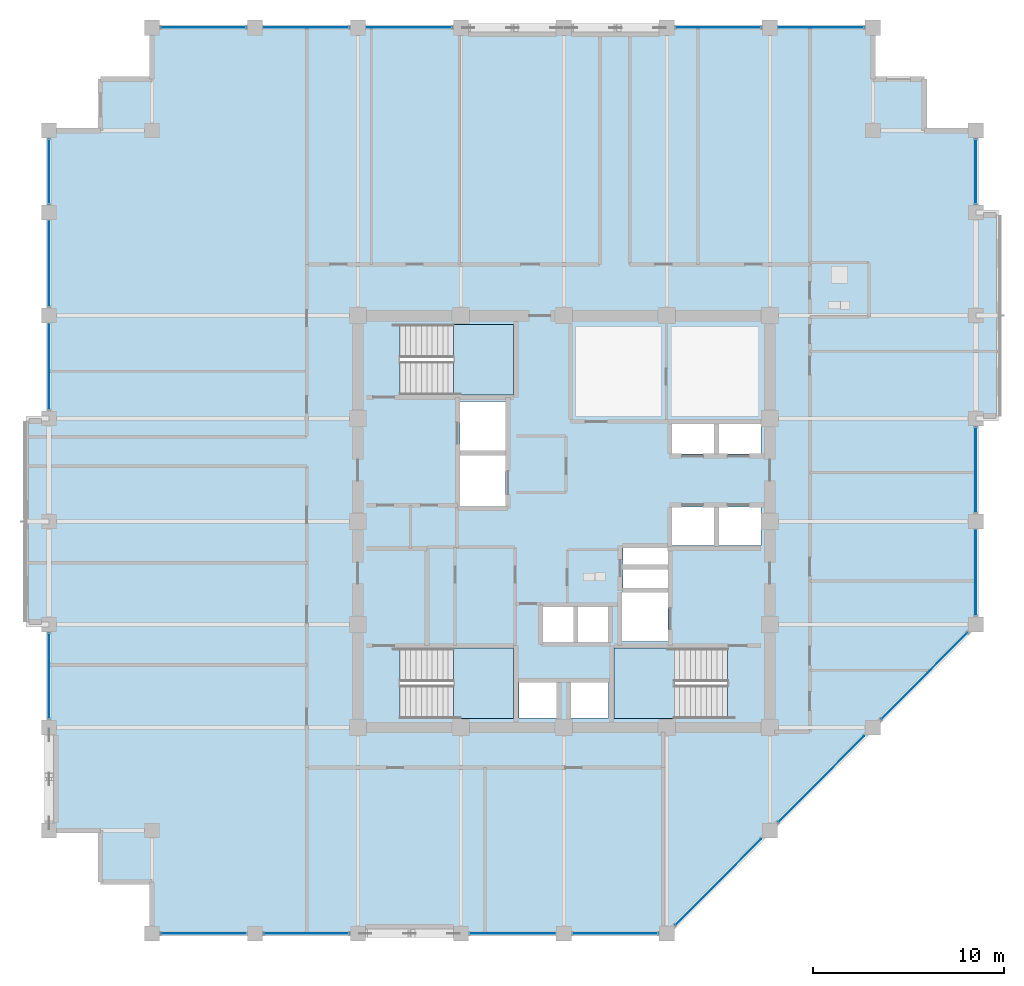
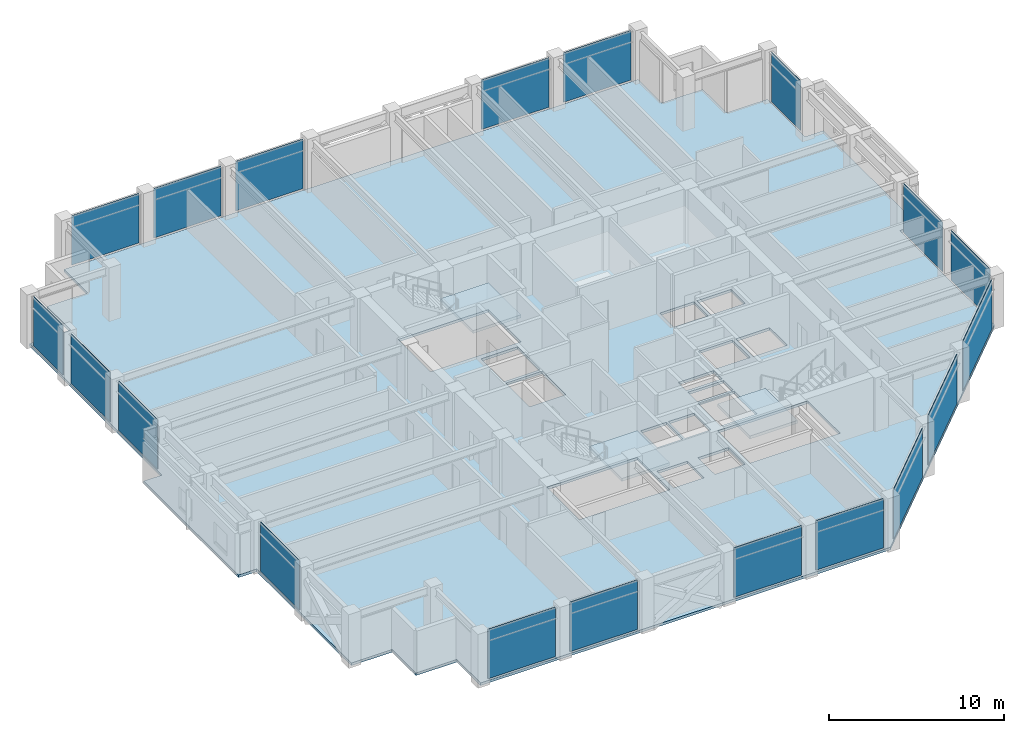
# One storey, part 23 of 30: 19 plates, 4 slabs, 12 elements without a shape of their own.
"""IFC4 building model written with IfcOpenShell, lengths in metres."""

from ifc_helpers import new_model, si_unit, direction, frame, frame_2d, origin, place, context, subcontext, project, spatial, polyline, rectangle, outline, extrude, material, layer, layer_set, type_object, element, aggregate, save


model = new_model("IFC4")

# Units and contexts
model_context = context("Model", 3, precision=1e-05, world=origin(), true_north=direction((0.0, 1.0)))
body_context = subcontext(model_context, "Body", "Model", "MODEL_VIEW")
ifc_project = project(units=[si_unit("LENGTHUNIT", "METRE"), si_unit("AREAUNIT", "SQUARE_METRE"), si_unit("VOLUMEUNIT", "CUBIC_METRE"), si_unit("PLANEANGLEUNIT", "RADIAN"), si_unit("MASSUNIT", "GRAM", prefix="KILO")], contexts=[model_context])

# Site, building, storey
site_placement = place(None, origin())
site = spatial("IfcSite", under=ifc_project, at=site_placement, CompositionType="ELEMENT")
building_placement = place(site_placement, origin())
building = spatial("IfcBuilding", under=site, at=building_placement, Name="Surkhivell Harbour Commons", CompositionType="ELEMENT")
storey_placement = place(building_placement, frame((0.0, 0.0, 231.0)))
storey = spatial("IfcBuildingStorey", under=building, at=storey_placement, Name="L60", CompositionType="ELEMENT", Elevation=231.0)

# Curtain wall, plates
ifc_material_1 = material(Name="Anodised pale-metal aluminium and insulated glazing", Category="aluminium")
ifc_layer_1 = layer(ifc_material_1, 0.18994140625)
ifc_layer_set_1 = layer_set([ifc_layer_1], Name="Anodised pale-metal aluminium and insulated glazing")
curtain_wall_type = type_object("IfcCurtainWallType", Name="CW-SYS-Z3", PredefinedType="NOTDEFINED", material=ifc_layer_set_1)
curtain_wall_1_placement = place(storey_placement, origin())
curtain_wall_1 = element("IfcCurtainWall", 1, at=curtain_wall_1_placement, inside=storey, type_object=curtain_wall_type, Name="L60 Curtain Wall CW-L60-E00S1", PredefinedType="NOTDEFINED")
ifc_material_2 = material(Name="High-pressure typhoon laminated vision glass", Category="glass")
ifc_layer_2 = layer(ifc_material_2, 0.035888671875)
ifc_layer_set_2 = layer_set([ifc_layer_2], Name="High-pressure typhoon laminated vision glass")
plate_type = type_object("IfcPlateType", Name="CWP-GLZ-36", PredefinedType="CURTAIN_PANEL", material=ifc_layer_set_2)
plate_1_placement = place(storey_placement, frame((-21.123046875, -21.60009765625, 0.1298828125), z_axis=(0.0, 0.0, 1.0), x_axis=(1.0, 0.0, 0.0)))
plate_1 = element("IfcPlate", 2, at=plate_1_placement, type_object=plate_type, Name="CW-Z3 panel 1.1", PredefinedType="CURTAIN_PANEL", context=body_context, shape_type="SweptSolid", body=[
    extrude(rectangle(XDim=4.446044921875, YDim=0.035888671875, at=frame_2d((2.22314453125, 0.0))), origin(), (0.0, 0.0, 1.0), 3.440185546875),
])
plate_2_placement = place(storey_placement, frame((-15.722900390625, -21.60009765625, 0.1298828125), z_axis=(0.0, 0.0, 1.0), x_axis=(1.0, 0.0, 0.0)))
plate_2 = element("IfcPlate", 3, at=plate_2_placement, type_object=plate_type, Name="CW-Z3 panel 2.1", PredefinedType="CURTAIN_PANEL", context=body_context, shape_type="SweptSolid", body=[
    extrude(rectangle(XDim=4.44580078125, YDim=0.035888671875, at=frame_2d((2.222900390625, 0.0))), origin(), (0.0, 0.0, 1.0), 3.440185546875),
])
aggregate(curtain_wall_1, [plate_1, plate_2])

curtain_wall_2_placement = place(storey_placement, origin())
curtain_wall_2 = element("IfcCurtainWall", 4, at=curtain_wall_2_placement, inside=storey, type_object=curtain_wall_type, Name="L60 Curtain Wall CW-L60-E00S2", PredefinedType="NOTDEFINED")
plate_3_placement = place(storey_placement, frame((-4.923095703125, -21.60009765625, 0.1298828125), z_axis=(0.0, 0.0, 1.0), x_axis=(1.0, 0.0, 0.0)))
plate_3 = element("IfcPlate", 5, at=plate_3_placement, type_object=plate_type, Name="CW-Z3 panel 1.1", PredefinedType="CURTAIN_PANEL", context=body_context, shape_type="SweptSolid", body=[
    extrude(rectangle(XDim=4.446044921875, YDim=0.035888671875, at=frame_2d((2.22314453125, 0.0))), origin(), (0.0, 0.0, 1.0), 3.440185546875),
])
plate_4_placement = place(storey_placement, frame((0.47705078125, -21.60009765625, 0.1298828125), z_axis=(0.0, 0.0, 1.0), x_axis=(1.0, 0.0, 0.0)))
plate_4 = element("IfcPlate", 6, at=plate_4_placement, type_object=plate_type, Name="CW-Z3 panel 2.1", PredefinedType="CURTAIN_PANEL", context=body_context, shape_type="SweptSolid", body=[
    extrude(rectangle(XDim=4.446044921875, YDim=0.035888671875, at=frame_2d((2.22314453125, 0.0))), origin(), (0.0, 0.0, 1.0), 3.440185546875),
])
aggregate(curtain_wall_2, [plate_3, plate_4])

curtain_wall_3_placement = place(storey_placement, origin())
curtain_wall_3 = element("IfcCurtainWall", 7, at=curtain_wall_3_placement, inside=storey, type_object=curtain_wall_type, Name="L60 Curtain Wall CW-L60-E01", PredefinedType="NOTDEFINED")
plate_5_placement = place(storey_placement, frame((5.854736328125, -21.145263671875, 0.1298828125), z_axis=(0.0, 0.0, 1.0), x_axis=(0.707106781187, 0.707106781187, 0.0)))
plate_5 = element("IfcPlate", 8, at=plate_5_placement, type_object=plate_type, Name="CW-Z3 panel 1.1", PredefinedType="CURTAIN_PANEL", context=body_context, shape_type="SweptSolid", body=[
    extrude(rectangle(XDim=6.3505859375, YDim=0.035888671875, at=frame_2d((3.17529296875, 0.0))), origin(), (0.0, 0.0, 1.0), 3.440185546875),
])
plate_6_placement = place(storey_placement, frame((11.254638671875, -15.745361328125, 0.1298828125), z_axis=(0.0, 0.0, 1.0), x_axis=(0.707106781187, 0.707106781187, 0.0)))
plate_6 = element("IfcPlate", 9, at=plate_6_placement, type_object=plate_type, Name="CW-Z3 panel 2.1", PredefinedType="CURTAIN_PANEL", context=body_context, shape_type="SweptSolid", body=[
    extrude(rectangle(XDim=6.350830078125, YDim=0.035888671875, at=frame_2d((3.17529296875, 0.0))), origin(), (0.0, 0.0, 1.0), 3.440185546875),
])
plate_7_placement = place(storey_placement, frame((16.65478515625, -10.34521484375, 0.1298828125), z_axis=(0.0, 0.0, 1.0), x_axis=(0.707106781187, 0.707106781187, 0.0)))
plate_7 = element("IfcPlate", 10, at=plate_7_placement, type_object=plate_type, Name="CW-Z3 panel 3.1", PredefinedType="CURTAIN_PANEL", context=body_context, shape_type="SweptSolid", body=[
    extrude(rectangle(XDim=6.3505859375, YDim=0.035888671875, at=frame_2d((3.17529296875, 0.0))), origin(), (0.0, 0.0, 1.0), 3.440185546875),
])
aggregate(curtain_wall_3, [plate_5, plate_6, plate_7])

curtain_wall_4_placement = place(storey_placement, origin())
curtain_wall_4 = element("IfcCurtainWall", 11, at=curtain_wall_4_placement, inside=storey, type_object=curtain_wall_type, Name="L60 Curtain Wall CW-L60-E02R1", PredefinedType="NOTDEFINED")
plate_8_placement = place(storey_placement, frame((21.60009765625, -4.923095703125, 0.1298828125), z_axis=(0.0, 0.0, 1.0), x_axis=(0.0, 1.0, 0.0)))
plate_8 = element("IfcPlate", 12, at=plate_8_placement, type_object=plate_type, Name="CW-Z3 panel 1.1", PredefinedType="CURTAIN_PANEL", context=body_context, shape_type="SweptSolid", body=[
    extrude(rectangle(XDim=4.446044921875, YDim=0.035888671875, at=frame_2d((2.22314453125, 0.0))), origin(), (0.0, 0.0, 1.0), 3.440185546875),
])
plate_9_placement = place(storey_placement, frame((21.60009765625, 0.47705078125, 0.1298828125), z_axis=(0.0, 0.0, 1.0), x_axis=(0.0, 1.0, 0.0)))
plate_9 = element("IfcPlate", 13, at=plate_9_placement, type_object=plate_type, Name="CW-Z3 panel 2.1", PredefinedType="CURTAIN_PANEL", context=body_context, shape_type="SweptSolid", body=[
    extrude(rectangle(XDim=4.446044921875, YDim=0.035888671875, at=frame_2d((2.22314453125, 0.0))), origin(), (0.0, 0.0, 1.0), 3.440185546875),
])
aggregate(curtain_wall_4, [plate_8, plate_9])

# Curtain wall, plate
curtain_wall_5_placement = place(storey_placement, origin())
curtain_wall_5 = element("IfcCurtainWall", 14, at=curtain_wall_5_placement, inside=storey, type_object=curtain_wall_type, Name="L60 Curtain Wall CW-L60-E02R2", PredefinedType="NOTDEFINED")
plate_10_placement = place(storey_placement, frame((21.60009765625, 16.677001953125, 0.1298828125), z_axis=(0.0, 0.0, 1.0), x_axis=(0.0, 1.0, 0.0)))
plate_10 = element("IfcPlate", 15, at=plate_10_placement, type_object=plate_type, Name="CW-Z3 panel 1.1", PredefinedType="CURTAIN_PANEL", context=body_context, shape_type="SweptSolid", body=[
    extrude(rectangle(XDim=3.345947265625, YDim=0.035888671875, at=frame_2d((1.6728515625, 0.0))), origin(), (0.0, 0.0, 1.0), 3.440185546875),
])
aggregate(curtain_wall_5, [plate_10])

# Curtain wall, plates
curtain_wall_6_placement = place(storey_placement, origin())
curtain_wall_6 = element("IfcCurtainWall", 16, at=curtain_wall_6_placement, inside=storey, type_object=curtain_wall_type, Name="L60 Curtain Wall CW-L60-E07S1", PredefinedType="NOTDEFINED")
plate_11_placement = place(storey_placement, frame((15.722900390625, 25.89990234375, 0.1298828125), z_axis=(0.0, 0.0, 1.0), x_axis=(-1.0, 0.0, 0.0)))
plate_11 = element("IfcPlate", 17, at=plate_11_placement, type_object=plate_type, Name="CW-Z3 panel 1.1", PredefinedType="CURTAIN_PANEL", context=body_context, shape_type="SweptSolid", body=[
    extrude(rectangle(XDim=4.44580078125, YDim=0.035888671875, at=frame_2d((2.222900390625, 0.0))), origin(), (0.0, 0.0, 1.0), 3.440185546875),
])
plate_12_placement = place(storey_placement, frame((10.322998046875, 25.89990234375, 0.1298828125), z_axis=(0.0, 0.0, 1.0), x_axis=(-1.0, 0.0, 0.0)))
plate_12 = element("IfcPlate", 18, at=plate_12_placement, type_object=plate_type, Name="CW-Z3 panel 2.1", PredefinedType="CURTAIN_PANEL", context=body_context, shape_type="SweptSolid", body=[
    extrude(rectangle(XDim=4.446044921875, YDim=0.035888671875, at=frame_2d((2.22314453125, 0.0))), origin(), (0.0, 0.0, 1.0), 3.440185546875),
])
aggregate(curtain_wall_6, [plate_11, plate_12])

curtain_wall_7_placement = place(storey_placement, origin())
curtain_wall_7 = element("IfcCurtainWall", 19, at=curtain_wall_7_placement, inside=storey, type_object=curtain_wall_type, Name="L60 Curtain Wall CW-L60-E07S2", PredefinedType="NOTDEFINED")
plate_13_placement = place(storey_placement, frame((-5.876953125, 25.89990234375, 0.1298828125), z_axis=(0.0, 0.0, 1.0), x_axis=(-1.0, 0.0, 0.0)))
plate_13 = element("IfcPlate", 20, at=plate_13_placement, type_object=plate_type, Name="CW-Z3 panel 1.1", PredefinedType="CURTAIN_PANEL", context=body_context, shape_type="SweptSolid", body=[
    extrude(rectangle(XDim=4.446044921875, YDim=0.035888671875, at=frame_2d((2.22314453125, 0.0))), origin(), (0.0, 0.0, 1.0), 3.440185546875),
])
plate_14_placement = place(storey_placement, frame((-11.277099609375, 25.89990234375, 0.1298828125), z_axis=(0.0, 0.0, 1.0), x_axis=(-1.0, 0.0, 0.0)))
plate_14 = element("IfcPlate", 21, at=plate_14_placement, type_object=plate_type, Name="CW-Z3 panel 2.1", PredefinedType="CURTAIN_PANEL", context=body_context, shape_type="SweptSolid", body=[
    extrude(rectangle(XDim=4.44580078125, YDim=0.035888671875, at=frame_2d((2.222900390625, 0.0))), origin(), (0.0, 0.0, 1.0), 3.440185546875),
])
plate_15_placement = place(storey_placement, frame((-16.677001953125, 25.89990234375, 0.1298828125), z_axis=(0.0, 0.0, 1.0), x_axis=(-1.0, 0.0, 0.0)))
plate_15 = element("IfcPlate", 22, at=plate_15_placement, type_object=plate_type, Name="CW-Z3 panel 3.1", PredefinedType="CURTAIN_PANEL", context=body_context, shape_type="SweptSolid", body=[
    extrude(rectangle(XDim=4.446044921875, YDim=0.035888671875, at=frame_2d((2.22314453125, 0.0))), origin(), (0.0, 0.0, 1.0), 3.440185546875),
])
aggregate(curtain_wall_7, [plate_13, plate_14, plate_15])

# Curtain wall, plate
curtain_wall_8_placement = place(storey_placement, origin())
curtain_wall_8 = element("IfcCurtainWall", 23, at=curtain_wall_8_placement, inside=storey, type_object=curtain_wall_type, Name="L60 Curtain Wall CW-L60-E12R1S1", PredefinedType="NOTDEFINED")
plate_16_placement = place(storey_placement, frame((-27.0, -10.322998046875, 0.1298828125), z_axis=(0.0, 0.0, 1.0), x_axis=(0.0, 1.0, 0.0)))
plate_16 = element("IfcPlate", 24, at=plate_16_placement, type_object=plate_type, Name="CW-Z3 panel 1.1", PredefinedType="CURTAIN_PANEL", context=body_context, shape_type="SweptSolid", body=[
    extrude(rectangle(XDim=4.446044921875, YDim=0.035888671875, at=frame_2d((2.22314453125, 0.0))), origin(), (0.0, 0.0, 1.0), 3.440185546875),
])
aggregate(curtain_wall_8, [plate_16])

# Curtain wall, plates
curtain_wall_9_placement = place(storey_placement, origin())
curtain_wall_9 = element("IfcCurtainWall", 25, at=curtain_wall_9_placement, inside=storey, type_object=curtain_wall_type, Name="L60 Curtain Wall CW-L60-E12R2", PredefinedType="NOTDEFINED")
plate_17_placement = place(storey_placement, frame((-27.0, 5.876953125, 0.1298828125), z_axis=(0.0, 0.0, 1.0), x_axis=(0.0, 1.0, 0.0)))
plate_17 = element("IfcPlate", 26, at=plate_17_placement, type_object=plate_type, Name="CW-Z3 panel 1.1", PredefinedType="CURTAIN_PANEL", context=body_context, shape_type="SweptSolid", body=[
    extrude(rectangle(XDim=4.446044921875, YDim=0.035888671875, at=frame_2d((2.22314453125, 0.0))), origin(), (0.0, 0.0, 1.0), 3.440185546875),
])
plate_18_placement = place(storey_placement, frame((-27.0, 11.277099609375, 0.1298828125), z_axis=(0.0, 0.0, 1.0), x_axis=(0.0, 1.0, 0.0)))
plate_18 = element("IfcPlate", 27, at=plate_18_placement, type_object=plate_type, Name="CW-Z3 panel 2.1", PredefinedType="CURTAIN_PANEL", context=body_context, shape_type="SweptSolid", body=[
    extrude(rectangle(XDim=4.44580078125, YDim=0.035888671875, at=frame_2d((2.222900390625, 0.0))), origin(), (0.0, 0.0, 1.0), 3.440185546875),
])
plate_19_placement = place(storey_placement, frame((-27.0, 16.677001953125, 0.1298828125), z_axis=(0.0, 0.0, 1.0), x_axis=(0.0, 1.0, 0.0)))
plate_19 = element("IfcPlate", 28, at=plate_19_placement, type_object=plate_type, Name="CW-Z3 panel 3.1", PredefinedType="CURTAIN_PANEL", context=body_context, shape_type="SweptSolid", body=[
    extrude(rectangle(XDim=3.345947265625, YDim=0.035888671875, at=frame_2d((1.6728515625, 0.0))), origin(), (0.0, 0.0, 1.0), 3.440185546875),
])
aggregate(curtain_wall_9, [plate_17, plate_18, plate_19])

# Stair, slab
ifc_material_3 = material(Name="Precast concrete C45/55", Category="concrete")
stair_type = type_object("IfcStairType", Name="STR-DL-375", PredefinedType="HALF_TURN_STAIR", material=ifc_material_3)
stair_1_placement = place(storey_placement, origin())
stair_1 = element("IfcStair", 29, at=stair_1_placement, inside=storey, type_object=stair_type, Name="L60 Core Exit Stair ST1", PredefinedType="HALF_TURN_STAIR")
ifc_material_4 = material(Name="Reinforced concrete C45/55", Category="concrete")
ifc_layer_3 = layer(ifc_material_4, 0.199951171875)
ifc_layer_set_3 = layer_set([ifc_layer_3], Name="Reinforced concrete C45/55")
slab_type_1 = type_object("IfcSlabType", Name="SLB-ST-LND200", PredefinedType="LANDING", material=ifc_layer_set_3)
slab_1_placement = place(storey_placement, frame((0.0, 0.0, 1.675048828125)))
slab_1 = element("IfcSlab", 30, at=slab_1_placement, type_object=slab_type_1, Name="ST1 landing 1", PredefinedType="LANDING", context=body_context, shape_type="SweptSolid", body=[
    extrude(outline(polyline([(-5.7900390625, 6.639892578125), (-2.639892578125, 6.639892578125), (-2.639892578125, 10.340087890625), (-5.7900390625, 10.340087890625), (-5.7900390625, 6.639892578125)])), origin(), (0.0, 0.0, 1.0), 0.199951171875),
])
aggregate(stair_1, [slab_1])

stair_2_placement = place(storey_placement, origin())
stair_2 = element("IfcStair", 31, at=stair_2_placement, inside=storey, type_object=stair_type, Name="L60 Core Exit Stair ST2", PredefinedType="HALF_TURN_STAIR")
slab_2_placement = place(storey_placement, frame((0.0, 0.0, 1.675048828125)))
slab_2 = element("IfcSlab", 32, at=slab_2_placement, type_object=slab_type_1, Name="ST2 landing 1", PredefinedType="LANDING", context=body_context, shape_type="SweptSolid", body=[
    extrude(outline(polyline([(5.7900390625, -6.639892578125), (2.639892578125, -6.639892578125), (2.639892578125, -10.340087890625), (5.7900390625, -10.340087890625), (5.7900390625, -6.639892578125)])), origin(), (0.0, 0.0, 1.0), 0.199951171875),
])
aggregate(stair_2, [slab_2])

stair_3_placement = place(storey_placement, origin())
stair_3 = element("IfcStair", 33, at=stair_3_placement, inside=storey, type_object=stair_type, Name="L60 Core Exit Stair ST3", PredefinedType="HALF_TURN_STAIR")
slab_3_placement = place(storey_placement, frame((0.0, 0.0, 1.675048828125)))
slab_3 = element("IfcSlab", 34, at=slab_3_placement, type_object=slab_type_1, Name="ST3 landing 1", PredefinedType="LANDING", context=body_context, shape_type="SweptSolid", body=[
    extrude(outline(polyline([(-5.7900390625, -10.340087890625), (-2.639892578125, -10.340087890625), (-2.639892578125, -6.639892578125), (-5.7900390625, -6.639892578125), (-5.7900390625, -10.340087890625)])), origin(), (0.0, 0.0, 1.0), 0.199951171875),
])
aggregate(stair_3, [slab_3])

# Slab
ifc_material_5 = material(Name="Concrete C45/55", Category="concrete")
ifc_layer_4 = layer(ifc_material_5, 0.179931640625)
ifc_layer_set_4 = layer_set([ifc_layer_4], Name="Concrete C45/55")
slab_type_2 = type_object("IfcSlabType", Name="SLB-TYP-180", PredefinedType="FLOOR", material=ifc_layer_set_4)
slab_4_placement = place(storey_placement, frame((0.0, 0.0, -0.179931640625)))
element("IfcSlab", 35, at=slab_4_placement, inside=storey, type_object=slab_type_2, Name="L60 Structural Floor Slab", PredefinedType="FLOOR", context=body_context, shape_type="SweptSolid", body=[
    extrude(outline(polyline([(-27.0, 20.5), (-27.0, 5.39990234375), (-28.199951171875, 5.39990234375), (-28.199951171875, -5.39990234375), (-27.0, -5.39990234375), (-27.0, -16.199951171875), (-24.300048828125, -16.199951171875), (-24.300048828125, -18.89990234375), (-21.60009765625, -18.89990234375), (-21.60009765625, -21.60009765625), (5.39990234375, -21.60009765625), (21.60009765625, -5.39990234375), (21.60009765625, 5.39990234375), (22.800048828125, 5.39990234375), (22.800048828125, 16.199951171875), (21.60009765625, 16.199951171875), (21.60009765625, 20.5), (18.89990234375, 20.5), (18.89990234375, 23.199951171875), (16.199951171875, 23.199951171875), (16.199951171875, 25.89990234375), (-21.60009765625, 25.89990234375), (-21.60009765625, 23.199951171875), (-24.300048828125, 23.199951171875), (-24.300048828125, 20.5), (-27.0, 20.5)]), holes=[polyline([(-8.590087890625, 6.639892578125), (-2.639892578125, 6.639892578125), (-2.639892578125, 10.340087890625), (-8.590087890625, 10.340087890625), (-8.590087890625, 6.639892578125)]), polyline([(8.590087890625, -6.639892578125), (2.639892578125, -6.639892578125), (2.639892578125, -10.340087890625), (8.590087890625, -10.340087890625), (8.590087890625, -6.639892578125)]), polyline([(-8.590087890625, -10.340087890625), (-2.639892578125, -10.340087890625), (-2.639892578125, -6.639892578125), (-8.590087890625, -6.639892578125), (-8.590087890625, -10.340087890625)]), polyline([(5.64990234375, 3.550048828125), (7.89990234375, 3.550048828125), (7.89990234375, 5.14990234375), (5.64990234375, 5.14990234375), (5.64990234375, 3.550048828125)]), polyline([(8.10009765625, 3.550048828125), (10.35009765625, 3.550048828125), (10.35009765625, 5.14990234375), (8.10009765625, 5.14990234375), (8.10009765625, 3.550048828125)]), polyline([(5.64990234375, -1.25), (7.89990234375, -1.25), (7.89990234375, 0.75), (5.64990234375, 0.75), (5.64990234375, -1.25)]), polyline([(8.10009765625, -1.25), (10.35009765625, -1.25), (10.35009765625, 0.75), (8.10009765625, 0.75), (8.10009765625, -1.25)]), polyline([(-1.14990234375, -6.35009765625), (0.550048828125, -6.35009765625), (0.550048828125, -4.449951171875), (-1.14990234375, -4.449951171875), (-1.14990234375, -6.35009765625)]), polyline([(0.679931640625, -6.35009765625), (2.3798828125, -6.35009765625), (2.3798828125, -4.449951171875), (0.679931640625, -4.449951171875), (0.679931640625, -6.35009765625)]), polyline([(-2.35009765625, -10.300048828125), (-0.35009765625, -10.300048828125), (-0.35009765625, -8.39990234375), (-2.35009765625, -8.39990234375), (-2.35009765625, -10.300048828125)]), polyline([(0.35009765625, -10.300048828125), (2.35009765625, -10.300048828125), (2.35009765625, -8.39990234375), (0.35009765625, -8.39990234375), (0.35009765625, -10.300048828125)]), polyline([(-5.449951171875, 3.699951171875), (-3.050048828125, 3.699951171875), (-3.050048828125, 6.300048828125), (-5.449951171875, 6.300048828125), (-5.449951171875, 3.699951171875)]), polyline([(3.050048828125, -6.300048828125), (5.449951171875, -6.300048828125), (5.449951171875, -3.699951171875), (3.050048828125, -3.699951171875), (3.050048828125, -6.300048828125)]), polyline([(-5.449951171875, 0.800048828125), (-3.050048828125, 0.800048828125), (-3.050048828125, 3.5), (-5.449951171875, 3.5), (-5.449951171875, 0.800048828125)]), polyline([(3.10009765625, -3.550048828125), (5.449951171875, -3.550048828125), (5.449951171875, -2.47998046875), (3.10009765625, -2.47998046875), (3.10009765625, -3.550048828125)]), polyline([(3.10009765625, -2.280029296875), (5.449951171875, -2.280029296875), (5.449951171875, -1.35009765625), (3.10009765625, -1.35009765625), (3.10009765625, -2.280029296875)])]), origin(), (0.0, 0.0, 1.0), 0.179931640625),
])

save(model, "model.ifc")
